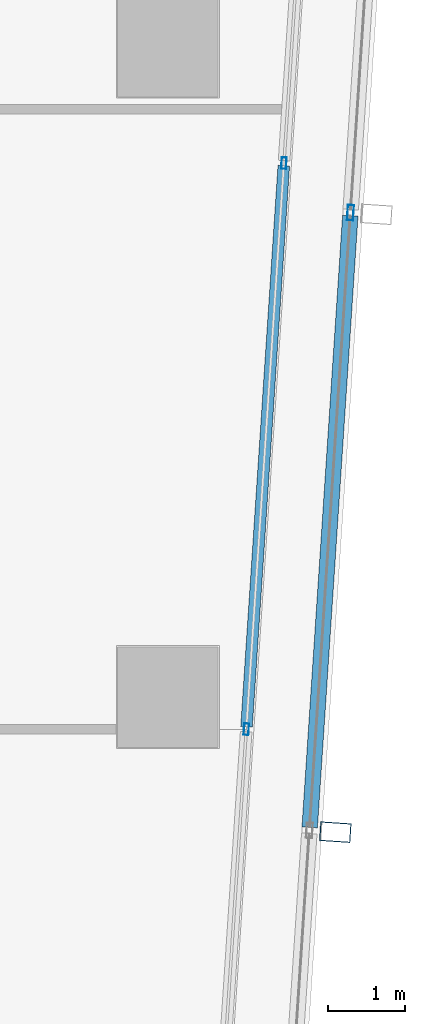
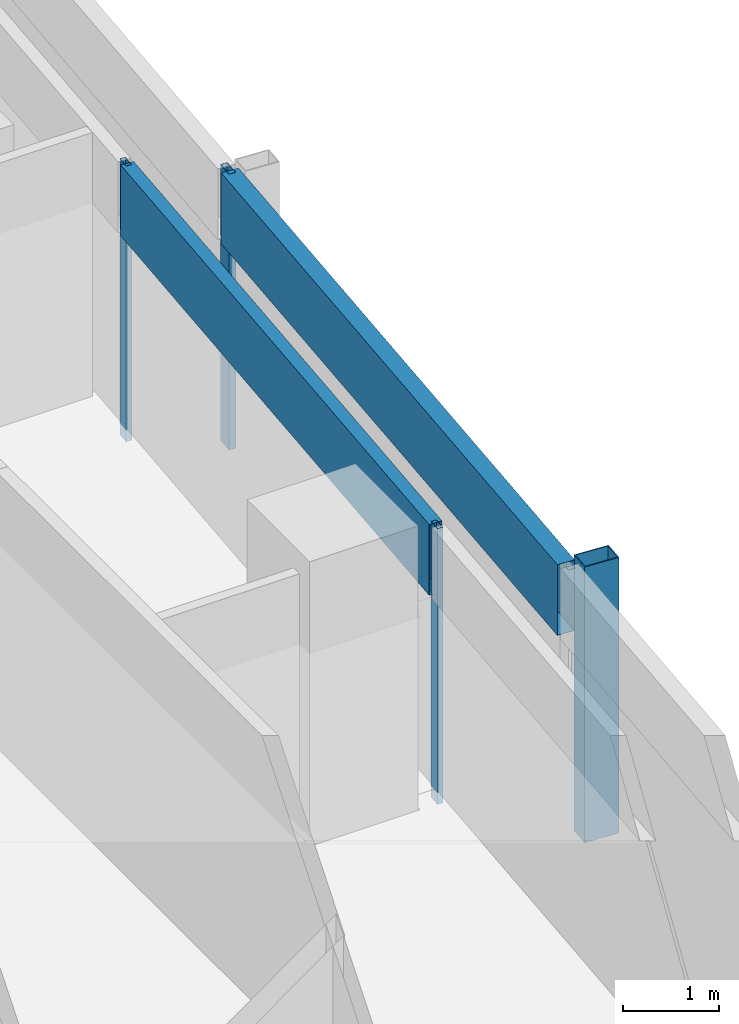
# One storey, part 12 of 29: 6 members, 2 elements without a shape of their own.
"""IFC4 building model written with IfcOpenShell, lengths in metres."""

import ifcopenshell
import ifcopenshell.guid

model = None  # the IFC model being written
_history = None  # IfcOwnerHistory: only IFC2X3 demands one
_inside = {}  # id of a spatial element -> (the spatial element, [elements in it])
_under = {}  # id of a project, library or spatial element -> (it, [spatial elements below it])
_declared = {}  # id of a project -> (the project, [libraries it declares])
_typed = {}  # id of a type object -> (the type object, [elements of that type])
_made_of = {}  # id of a material, layer set ... -> (it, [elements and type objects made of it])


def new_model(schema):
    """Start an empty IFC model of exactly this schema.

    Asked for "IFC4X3", IfcOpenShell would pick the latest addendum, in which some entities
    have other attributes; the version numbers below select the first issue.
    IFC2X3 requires an IfcOwnerHistory on every rooted entity: one is made here for all.
    """
    global model, _history
    if schema == "IFC4X3":
        model = ifcopenshell.file(schema_version=(4, 3, 0, 0))
    else:
        model = ifcopenshell.file(schema=schema)
    _inside.clear()
    _under.clear()
    _declared.clear()
    _typed.clear()
    _made_of.clear()
    _history = None
    if model.schema == "IFC2X3":
        org = make("IfcOrganization", Name="unknown")
        user = make(
            "IfcPersonAndOrganization",
            ThePerson=make("IfcPerson", FamilyName="unknown"),
            TheOrganization=org,
        )
        app = make(
            "IfcApplication",
            ApplicationDeveloper=org,
            Version="unknown",
            ApplicationFullName="unknown",
            ApplicationIdentifier="unknown",
        )
        _history = make(
            "IfcOwnerHistory",
            OwningUser=user,
            OwningApplication=app,
            ChangeAction="ADDED",
            CreationDate=0,
        )
    return model


def make(cls, **values):
    """One entity of the class cls with the attributes given. An attribute that is None is left unset."""
    return model.create_entity(
        cls, **{name: value for name, value in values.items() if value is not None}
    )


def rooted(cls, **values):
    """An entity with a GlobalId (a new one), such as an element, a storey or a relation."""
    return make(cls, GlobalId=ifcopenshell.guid.new(), OwnerHistory=_history, **values)


def si_unit(unit_type, name, prefix=None):
    """IfcSIUnit, for example si_unit("LENGTHUNIT", "METRE", prefix="MILLI")."""
    return make("IfcSIUnit", UnitType=unit_type, Prefix=prefix, Name=name)


def assignment(units):
    """IfcUnitAssignment: the units of a project."""
    return None if units is None else make("IfcUnitAssignment", Units=units)


def point(xyz):
    """IfcCartesianPoint."""
    return None if xyz is None else make("IfcCartesianPoint", Coordinates=xyz)


def direction(xyz):
    """IfcDirection."""
    return None if xyz is None else make("IfcDirection", DirectionRatios=xyz)


def frame(location, z_axis=None, x_axis=None):
    """IfcAxis2Placement3D, a coordinate frame: its origin and axes. An axis left out is left unset."""
    return make(
        "IfcAxis2Placement3D",
        Location=point(location),
        Axis=direction(z_axis),
        RefDirection=direction(x_axis),
    )


def frame_2d(location, x_axis=None):
    """IfcAxis2Placement2D, a coordinate frame in the plane: its origin and x axis."""
    return make(
        "IfcAxis2Placement2D", Location=point(location), RefDirection=direction(x_axis)
    )


def origin():
    """The frame at (0, 0, 0) with its axes left unset."""
    return frame((0.0, 0.0, 0.0))


def origin_2d():
    """The frame at (0, 0) in the plane with its x axis left unset."""
    return frame_2d((0.0, 0.0))


def place(relative_to, where):
    """IfcLocalPlacement: puts the frame where relative to a parent placement (None: the world)."""
    return make(
        "IfcLocalPlacement", PlacementRelTo=relative_to, RelativePlacement=where
    )


def context(
    kind, dimensions, precision=None, world=None, true_north=None, identifier=None
):
    """IfcGeometricRepresentationContext, for example the 3D "Model" context."""
    return make(
        "IfcGeometricRepresentationContext",
        ContextIdentifier=identifier,
        ContextType=kind,
        CoordinateSpaceDimension=dimensions,
        Precision=precision,
        WorldCoordinateSystem=world,
        TrueNorth=true_north,
    )


def subcontext(parent, identifier, kind, view, scale=None):
    """IfcGeometricRepresentationSubContext, for example "Body" below "Model"."""
    return make(
        "IfcGeometricRepresentationSubContext",
        ContextIdentifier=identifier,
        ContextType=kind,
        ParentContext=parent,
        TargetScale=scale,
        TargetView=view,
    )


def project(units=None, contexts=None):
    """IfcProject with its units and contexts."""
    return rooted(
        "IfcProject",
        Name="project",
        RepresentationContexts=contexts,
        UnitsInContext=assignment(units),
    )


def spatial(cls, under=None, at=None, **own):
    """A site, building, storey or space (cls), placed at a placement, below another one or the project."""
    s = rooted(cls, ObjectPlacement=at, **own)
    if under is not None:
        _under.setdefault(under.id(), (under, []))[1].append(s)
    return s


def profile(cls, at=None, kind="AREA", **sizes):
    """A parametric profile (cls). Its sizes go by their IFC names, for example OverallWidth=200.0."""
    return make(cls, ProfileType=kind, Position=at, **sizes)


def hollow_rectangle(**sizes):
    """IfcRectangleHollowProfileDef."""
    return profile("IfcRectangleHollowProfileDef", **sizes)


def extrude(swept, where, along, depth):
    """IfcExtrudedAreaSolid: the profile swept, set in the frame where, extruded along a direction by depth."""
    return make(
        "IfcExtrudedAreaSolid",
        SweptArea=swept,
        Position=where,
        ExtrudedDirection=direction(along),
        Depth=depth,
    )


def shape(context_of_items, identifier, shape_type, items):
    """IfcShapeRepresentation: the items that make up one representation, for example the "Body"."""
    return make(
        "IfcShapeRepresentation",
        ContextOfItems=context_of_items,
        RepresentationIdentifier=identifier,
        RepresentationType=shape_type,
        Items=items,
    )


def material(Name=None, Category=None):
    """IfcMaterial."""
    return make("IfcMaterial", Name=Name, Category=Category)


def material_profile(
    of_material, cross_section, Name=None, Category=None, Priority=None
):
    """IfcMaterialProfile: a cross section and its material."""
    return make(
        "IfcMaterialProfile",
        Name=Name,
        Material=of_material,
        Profile=cross_section,
        Priority=Priority,
        Category=Category,
    )


def profile_set(profiles, Name=None, composite=None):
    """IfcMaterialProfileSet."""
    return make(
        "IfcMaterialProfileSet",
        Name=Name,
        MaterialProfiles=profiles,
        CompositeProfile=composite,
    )


def made_of(thing, what):
    """Note that an element or type object is made of a material, layer set ...; save() writes the relation."""
    if what is not None:
        _made_of.setdefault(what.id(), (what, []))[1].append(thing)
    return thing


def type_object(cls, material=None, **own):
    """A type object (cls), such as IfcWallType, which elements share."""
    return made_of(rooted(cls, **own), material)


def element(
    cls,
    number,
    at=None,
    inside=None,
    cuts=None,
    type_object=None,
    material=None,
    context=None,
    identifier="Body",
    shape_type=None,
    held_by="IfcProductDefinitionShape",
    body=None,
    shapes=None,
    **own,
):
    """One element of the class cls, such as IfcWall. Its Tag is "e" and its number.

    at: its placement. inside: the storey or other place that contains it. cuts: it is an
    opening in that element (IfcRelVoidsElement). A single representation is given by context,
    identifier, shape_type and body (its items); several are given by shapes. held_by: the class
    of the entity that holds the representations. save() writes the other relations.
    """
    e = rooted(cls, Tag="e%d" % number, ObjectPlacement=at, **own)
    if body is not None:
        shapes = [shape(context, identifier, shape_type, body)]
    if shapes is not None:
        e.Representation = make(held_by, Representations=shapes)
    if inside is not None:
        _inside.setdefault(inside.id(), (inside, []))[1].append(e)
    if cuts is not None:
        rooted(
            "IfcRelVoidsElement", RelatingBuildingElement=cuts, RelatedOpeningElement=e
        )
    if type_object is not None:
        _typed.setdefault(type_object.id(), (type_object, []))[1].append(e)
    return made_of(e, material)


def aggregate(whole, parts):
    """IfcRelAggregates: a whole, such as a stair, and the parts it consists of."""
    return rooted("IfcRelAggregates", RelatingObject=whole, RelatedObjects=parts)


def save(model, path):
    """Write the relations noted so far, then the file.

    IfcRelAggregates (storeys below a building ...), IfcRelContainedInSpatialStructure (elements
    in a storey), IfcRelDefinesByType, IfcRelAssociatesMaterial and IfcRelDeclares: one each for
    every whole, place, type object, material and project.
    """
    for whole, parts in _under.values():
        aggregate(whole, parts)
    for where, things in _inside.values():
        rooted(
            "IfcRelContainedInSpatialStructure",
            RelatedElements=things,
            RelatingStructure=where,
        )
    for kind, things in _typed.values():
        rooted("IfcRelDefinesByType", RelatedObjects=things, RelatingType=kind)
    for what, things in _made_of.values():
        rooted("IfcRelAssociatesMaterial", RelatedObjects=things, RelatingMaterial=what)
    for by, libraries in _declared.values():
        rooted("IfcRelDeclares", RelatingContext=by, RelatedDefinitions=libraries)
    model.write(path)


model = new_model("IFC4")

# Units and contexts
model_context = context("Model", 3, precision=1e-05, world=origin(), true_north=direction((0.0, 1.0)))
body_context = subcontext(model_context, "Body", "Model", "MODEL_VIEW")
ifc_project = project(units=[si_unit("LENGTHUNIT", "METRE"), si_unit("AREAUNIT", "SQUARE_METRE"), si_unit("VOLUMEUNIT", "CUBIC_METRE"), si_unit("PLANEANGLEUNIT", "RADIAN"), si_unit("MASSUNIT", "GRAM", prefix="KILO")], contexts=[model_context])

# Site, building, storey
site_placement = place(None, origin())
site = spatial("IfcSite", under=ifc_project, at=site_placement, CompositionType="ELEMENT")
building_placement = place(site_placement, origin())
building = spatial("IfcBuilding", under=site, at=building_placement, Name="Rekha Terrace Tower", CompositionType="ELEMENT")
storey_placement = place(building_placement, frame((0.0, 0.0, 276.35009765625)))
storey = spatial("IfcBuildingStorey", under=building, at=storey_placement, Name="L70", CompositionType="ELEMENT", Elevation=276.35009765625)

# Curtain wall, member
ifc_material_1 = material(Name="Aluminium framing", Category="aluminium")
curtain_wall_type_1 = type_object("IfcCurtainWallType", Name="CW2 double skin outer glazing", PredefinedType="USERDEFINED", material=ifc_material_1)
curtain_wall_1_placement = place(storey_placement, origin())
curtain_wall_1 = element("IfcCurtainWall", 1, at=curtain_wall_1_placement, inside=storey, type_object=curtain_wall_type_1, Name="CW2 double skin outer glazing", ObjectType="DOUBLE SKIN OUTER GLAZING", PredefinedType="USERDEFINED")
ifc_material_2 = material(Name="Steel S355 with fluorocarbon finish", Category="steel")
ifc_material_profile_1 = material_profile(ifc_material_2, hollow_rectangle(XDim=0.25, YDim=0.39990234375, WallThickness=0.012451171875, at=origin_2d()), Name="RHS400x250x12.5")
ifc_profile_set_1 = profile_set([ifc_material_profile_1], Name="Steel S355 with fluorocarbon finish")
member_type_1 = type_object("IfcMemberType", Name="BL1 facade blade RHS 400 x 250", PredefinedType="USERDEFINED", material=ifc_profile_set_1)
member_1_placement = place(storey_placement, frame((60.9638671875, 23.45751953125, 0.0), z_axis=(0.0, 0.0, 1.0), x_axis=(0.066272158908, 0.99780158396, 0.0)))
member_1 = element("IfcMember", 2, at=member_1_placement, type_object=member_type_1, Name="Facade blade", ObjectType="FACADE BLADE", PredefinedType="USERDEFINED", context=body_context, shape_type="SweptSolid", body=[
    extrude(hollow_rectangle(XDim=0.25, YDim=0.39990234375, WallThickness=0.012451171875, at=origin_2d()), origin(), (0.0, 0.0, 1.0), 3.5),
])

# Curtain wall, members
curtain_wall_type_2 = type_object("IfcCurtainWallType", Name="CW1 double skin inner glazing", PredefinedType="USERDEFINED", material=ifc_material_1)
curtain_wall_2_placement = place(storey_placement, origin())
curtain_wall_2 = element("IfcCurtainWall", 3, at=curtain_wall_2_placement, inside=storey, type_object=curtain_wall_type_2, Name="CW1 double skin inner glazing", ObjectType="DOUBLE SKIN INNER GLAZING", PredefinedType="USERDEFINED")
ifc_material_3 = material(Name="Aluminium mullion section", Category="aluminium")
ifc_material_profile_2 = material_profile(ifc_material_3, hollow_rectangle(XDim=0.06494140625, YDim=0.14990234375, WallThickness=0.00390625, at=origin_2d()), Name="AL RHS 65x150")
ifc_profile_set_2 = profile_set([ifc_material_profile_2], Name="Aluminium mullion section")
member_type_2 = type_object("IfcMemberType", Name="CW1 mullion RHS 65 x 150", PredefinedType="MULLION", material=ifc_profile_set_2)
member_2_placement = place(storey_placement, frame((59.814453125, 24.78662109375, 0.0), z_axis=(0.0, 0.0, 1.0), x_axis=(-0.997801621769, 0.066271589649, 0.0)))
member_2 = element("IfcMember", 4, at=member_2_placement, type_object=member_type_2, Name="CW1 mullion 2", PredefinedType="MULLION", context=body_context, shape_type="SweptSolid", body=[
    extrude(hollow_rectangle(XDim=0.06494140625, YDim=0.14990234375, WallThickness=0.00390625, at=origin_2d()), origin(), (0.0, 0.0, 1.0), 3.5),
])
member_3_placement = place(storey_placement, frame((60.300048828125, 32.0966796875, 0.0), z_axis=(0.0, 0.0, 1.0), x_axis=(-0.997801621769, 0.066271589649, 0.0)))
member_3 = element("IfcMember", 5, at=member_3_placement, type_object=member_type_2, Name="CW1 mullion 3", PredefinedType="MULLION", context=body_context, shape_type="SweptSolid", body=[
    extrude(hollow_rectangle(XDim=0.06494140625, YDim=0.14990234375, WallThickness=0.00390625, at=origin_2d()), origin(), (0.0, 0.0, 1.0), 3.5),
])
ifc_material_4 = material(Name="Insulated aluminium spandrel box", Category="aluminium")
ifc_material_profile_3 = material_profile(ifc_material_4, hollow_rectangle(XDim=0.14990234375, YDim=0.89990234375, WallThickness=0.0029296875, at=origin_2d()), Name="AL SPANDREL BOX 150x900")
ifc_profile_set_3 = profile_set([ifc_material_profile_3], Name="Insulated aluminium spandrel box")
member_type_3 = type_object("IfcMemberType", Name="CW1 spandrel transom 150 x 900", PredefinedType="USERDEFINED", material=ifc_profile_set_3)
member_4_placement = place(storey_placement, frame((59.816650390625, 24.81884765625, 3.0498046875), z_axis=(0.066266851431, 0.997801936459, 0.0), x_axis=(-0.997801936459, 0.066266851431, 0.0)))
member_4 = element("IfcMember", 6, at=member_4_placement, type_object=member_type_3, Name="CW1 spandrel transom 2", ObjectType="TRANSOM", PredefinedType="USERDEFINED", context=body_context, shape_type="SweptSolid", body=[
    extrude(hollow_rectangle(XDim=0.14990234375, YDim=0.89990234375, WallThickness=0.0029296875, at=origin_2d()), origin(), (0.0, 0.0, 1.0), 7.261474609375),
])
aggregate(curtain_wall_2, [member_2, member_3, member_4])

# Member
ifc_material_profile_4 = material_profile(ifc_material_3, hollow_rectangle(XDim=0.080078125, YDim=0.199951171875, WallThickness=0.00390625, at=origin_2d()), Name="AL RHS 80x200")
ifc_profile_set_4 = profile_set([ifc_material_profile_4], Name="Aluminium mullion section")
member_type_4 = type_object("IfcMemberType", Name="CW2 mullion RHS 80 x 200", PredefinedType="MULLION", material=ifc_profile_set_4)
member_5_placement = place(storey_placement, frame((61.159423828125, 31.457275390625, 0.0), z_axis=(0.0, 0.0, 1.0), x_axis=(-0.997801621769, 0.066271589649, 0.0)))
member_5 = element("IfcMember", 7, at=member_5_placement, type_object=member_type_4, Name="CW2 mullion 3", PredefinedType="MULLION", context=body_context, shape_type="SweptSolid", body=[
    extrude(hollow_rectangle(XDim=0.080078125, YDim=0.199951171875, WallThickness=0.00390625, at=origin_2d()), origin(), (0.0, 0.0, 1.0), 3.5),
])

ifc_material_profile_5 = material_profile(ifc_material_4, hollow_rectangle(XDim=0.199951171875, YDim=0.89990234375, WallThickness=0.0029296875, at=origin_2d()), Name="AL SPANDREL BOX 200x900")
ifc_profile_set_5 = profile_set([ifc_material_profile_5], Name="Insulated aluminium spandrel box")
member_type_5 = type_object("IfcMemberType", Name="CW2 spandrel transom 200 x 900", PredefinedType="USERDEFINED", material=ifc_profile_set_5)
member_6_placement = place(storey_placement, frame((60.63232421875, 23.51953125, 3.0498046875), z_axis=(0.066252876442, 0.997802864479, 0.0), x_axis=(-0.997802864479, 0.066252876442, 0.0)))
member_6 = element("IfcMember", 8, at=member_6_placement, type_object=member_type_5, Name="CW2 spandrel transom 2", ObjectType="TRANSOM", PredefinedType="USERDEFINED", context=body_context, shape_type="SweptSolid", body=[
    extrude(hollow_rectangle(XDim=0.199951171875, YDim=0.89990234375, WallThickness=0.0029296875, at=origin_2d()), origin(), (0.0, 0.0, 1.0), 7.915283203125),
])

aggregate(curtain_wall_1, [member_5, member_6, member_1])

save(model, "model.ifc")
